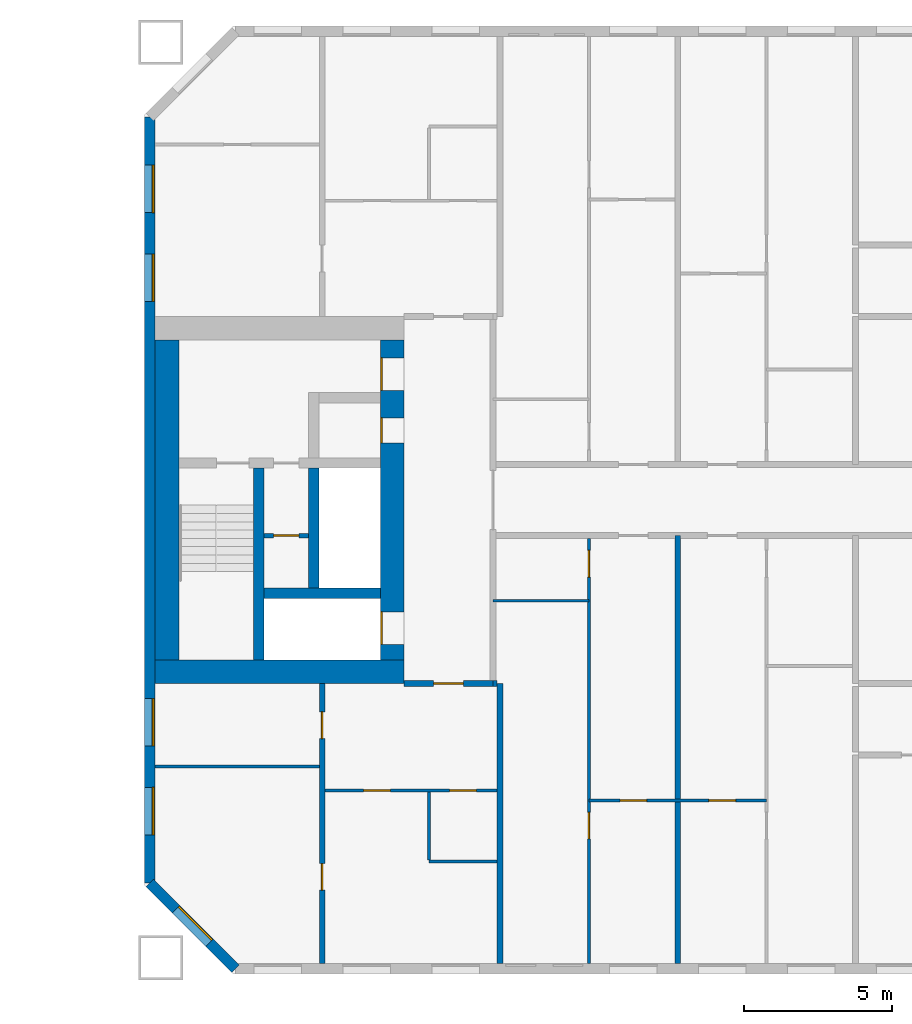
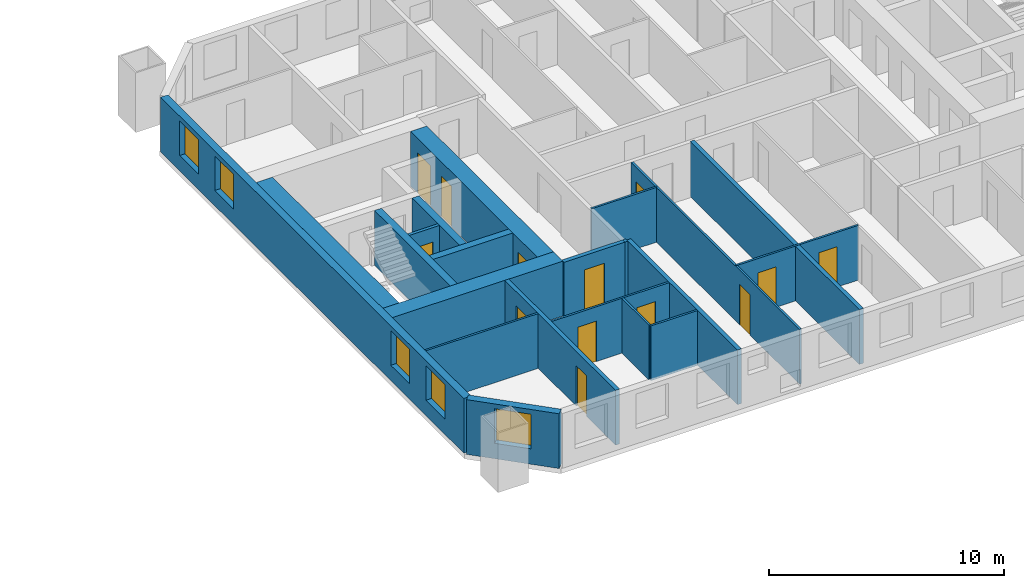
# One storey, part 9 of 17: 21 walls, 13 doors, 5 windows, 18 openings.
"""IFC4 building model written with IfcOpenShell, lengths in metres."""

from ifc_helpers import new_model, si_unit, direction, frame, frame_2d, origin, place, context, subcontext, project, spatial, rectangle, extrude, material, layer, layer_set, type_object, element, fill, save


model = new_model("IFC4")

# Units and contexts
model_context = context("Model", 3, precision=1e-05, world=origin(), true_north=direction((0.0, 1.0)))
body_context = subcontext(model_context, "Body", "Model", "MODEL_VIEW")
ifc_project = project(units=[si_unit("LENGTHUNIT", "METRE"), si_unit("AREAUNIT", "SQUARE_METRE"), si_unit("VOLUMEUNIT", "CUBIC_METRE"), si_unit("PLANEANGLEUNIT", "RADIAN"), si_unit("MASSUNIT", "GRAM", prefix="KILO")], contexts=[model_context])

# Site, building, storey
site_placement = place(None, origin())
site = spatial("IfcSite", under=ifc_project, at=site_placement, CompositionType="ELEMENT")
building_placement = place(site_placement, origin())
building = spatial("IfcBuilding", under=site, at=building_placement, Name="Tuart Gate Housing", CompositionType="ELEMENT")
storey_placement = place(building_placement, frame((0.0, 0.0, 53.60009765625)))
storey = spatial("IfcBuildingStorey", under=building, at=storey_placement, Name="L14", CompositionType="ELEMENT", Elevation=53.60009765625)

# Wall, opening, window
ifc_material_1 = material(Name="Brick", Category="masonry")
ifc_layer_1 = layer(ifc_material_1, 0.360107421875)
ifc_layer_set_1 = layer_set([ifc_layer_1], Name="Brick pier and spandrel wall 360")
wall_type_1 = type_object("IfcWallType", Name="Brick pier and spandrel wall 360", PredefinedType="STANDARD", material=ifc_layer_set_1)
wall_1_placement = place(storey_placement, frame((131.179931640625, 57.07470703125, 0.0), z_axis=(0.0, 0.0, 1.0), x_axis=(0.707106781187, -0.707106781187, 0.0)))
wall_1 = element("IfcWall", 1, at=wall_1_placement, inside=storey, type_object=wall_type_1, Name="External wall B-SW L14", PredefinedType="STANDARD", context=body_context, shape_type="SweptSolid", body=[
    extrude(rectangle(XDim=4.09375, YDim=0.360107421875, at=frame_2d((2.046875, 0.0))), origin(), (0.0, 0.0, 1.0), 2.849853515625),
])
opening_1_placement = place(wall_1_placement, frame((1.2470703125, 0.0, 0.800048828125)))
opening_1 = element("IfcOpeningElement", 2, at=opening_1_placement, cuts=wall_1, Name="Opening W1", PredefinedType="OPENING", context=body_context, shape_type="SweptSolid", body=[
    extrude(rectangle(XDim=1.60009765625, YDim=1.800048828125, at=frame_2d((0.800048828125, 0.89990234375))), frame((0.0, 0.18994140625, 0.0), z_axis=(0.0, -1.0, 0.0), x_axis=(1.0, 0.0, 0.0)), (0.0, 0.0, 1.0), 0.380126953125),
])
ifc_material_2 = material(Name="Aluminium frame with clear glass", Category="aluminium")
window_type = type_object("IfcWindowType", Name="Punched window 1600 x 1800", PartitioningType="SINGLE_PANEL", PredefinedType="WINDOW", material=ifc_material_2)
window_1_placement = place(opening_1_placement, origin())
window_1 = element("IfcWindow", 3, at=window_1_placement, inside=storey, type_object=window_type, Name="Window W1", OverallHeight=1.800048828125, OverallWidth=1.60009765625, PartitioningType="SINGLE_PANEL", PredefinedType="WINDOW", context=body_context, shape_type="SweptSolid", body=[
    extrude(rectangle(XDim=1.60009765625, YDim=1.800048828125, at=frame_2d((0.800048828125, 0.89990234375))), frame((0.0, 0.150146484375, 0.0), z_axis=(0.0, -1.0, 0.0), x_axis=(1.0, 0.0, 0.0)), (0.0, 0.0, 1.0), 0.06005859375),
])
fill(opening_1, window_1)

# Wall, openings, windows
wall_2_placement = place(storey_placement, frame((131.179931640625, 82.92529296875, 0.0), z_axis=(0.0, 0.0, 1.0), x_axis=(0.0, -1.0, 0.0)))
wall_2 = element("IfcWall", 4, at=wall_2_placement, inside=storey, type_object=wall_type_1, Name="External wall B-W L14", PredefinedType="STANDARD", context=body_context, shape_type="SweptSolid", body=[
    extrude(rectangle(XDim=25.850830078125, YDim=0.360107421875, at=frame_2d((12.92529296875, 0.0))), origin(), (0.0, 0.0, 1.0), 2.849853515625),
])
opening_2_placement = place(wall_2_placement, frame((1.62548828125, 0.0, 0.800048828125)))
opening_2 = element("IfcOpeningElement", 5, at=opening_2_placement, cuts=wall_2, Name="Opening W1", PredefinedType="OPENING", context=body_context, shape_type="SweptSolid", body=[
    extrude(rectangle(XDim=1.60009765625, YDim=1.800048828125, at=frame_2d((0.800048828125, 0.89990234375))), frame((0.0, 0.18994140625, 0.0), z_axis=(0.0, -1.0, 0.0), x_axis=(1.0, 0.0, 0.0)), (0.0, 0.0, 1.0), 0.380126953125),
])
opening_3_placement = place(wall_2_placement, frame((4.62548828125, 0.0, 0.800048828125)))
opening_3 = element("IfcOpeningElement", 6, at=opening_3_placement, cuts=wall_2, Name="Opening W1", PredefinedType="OPENING", context=body_context, shape_type="SweptSolid", body=[
    extrude(rectangle(XDim=1.60009765625, YDim=1.800048828125, at=frame_2d((0.800048828125, 0.89990234375))), frame((0.0, 0.18994140625, 0.0), z_axis=(0.0, -1.0, 0.0), x_axis=(1.0, 0.0, 0.0)), (0.0, 0.0, 1.0), 0.380126953125),
])
opening_4_placement = place(wall_2_placement, frame((19.62548828125, 0.0, 0.800048828125)))
opening_4 = element("IfcOpeningElement", 7, at=opening_4_placement, cuts=wall_2, Name="Opening W1", PredefinedType="OPENING", context=body_context, shape_type="SweptSolid", body=[
    extrude(rectangle(XDim=1.60009765625, YDim=1.800048828125, at=frame_2d((0.800048828125, 0.89990234375))), frame((0.0, 0.18994140625, 0.0), z_axis=(0.0, -1.0, 0.0), x_axis=(1.0, 0.0, 0.0)), (0.0, 0.0, 1.0), 0.380126953125),
])
opening_5_placement = place(wall_2_placement, frame((22.62548828125, 0.0, 0.800048828125)))
opening_5 = element("IfcOpeningElement", 8, at=opening_5_placement, cuts=wall_2, Name="Opening W1", PredefinedType="OPENING", context=body_context, shape_type="SweptSolid", body=[
    extrude(rectangle(XDim=1.60009765625, YDim=1.800048828125, at=frame_2d((0.800048828125, 0.89990234375))), frame((0.0, 0.18994140625, 0.0), z_axis=(0.0, -1.0, 0.0), x_axis=(1.0, 0.0, 0.0)), (0.0, 0.0, 1.0), 0.380126953125),
])
window_2_placement = place(opening_2_placement, origin())
window_2 = element("IfcWindow", 9, at=window_2_placement, inside=storey, type_object=window_type, Name="Window W1", OverallHeight=1.800048828125, OverallWidth=1.60009765625, PartitioningType="SINGLE_PANEL", PredefinedType="WINDOW", context=body_context, shape_type="SweptSolid", body=[
    extrude(rectangle(XDim=1.60009765625, YDim=1.800048828125, at=frame_2d((0.800048828125, 0.89990234375))), frame((0.0, 0.150146484375, 0.0), z_axis=(0.0, -1.0, 0.0), x_axis=(1.0, 0.0, 0.0)), (0.0, 0.0, 1.0), 0.06005859375),
])
fill(opening_2, window_2)
window_3_placement = place(opening_3_placement, origin())
window_3 = element("IfcWindow", 10, at=window_3_placement, inside=storey, type_object=window_type, Name="Window W1", OverallHeight=1.800048828125, OverallWidth=1.60009765625, PartitioningType="SINGLE_PANEL", PredefinedType="WINDOW", context=body_context, shape_type="SweptSolid", body=[
    extrude(rectangle(XDim=1.60009765625, YDim=1.800048828125, at=frame_2d((0.800048828125, 0.89990234375))), frame((0.0, 0.150146484375, 0.0), z_axis=(0.0, -1.0, 0.0), x_axis=(1.0, 0.0, 0.0)), (0.0, 0.0, 1.0), 0.06005859375),
])
fill(opening_3, window_3)
window_4_placement = place(opening_4_placement, origin())
window_4 = element("IfcWindow", 11, at=window_4_placement, inside=storey, type_object=window_type, Name="Window W1", OverallHeight=1.800048828125, OverallWidth=1.60009765625, PartitioningType="SINGLE_PANEL", PredefinedType="WINDOW", context=body_context, shape_type="SweptSolid", body=[
    extrude(rectangle(XDim=1.60009765625, YDim=1.800048828125, at=frame_2d((0.800048828125, 0.89990234375))), frame((0.0, 0.150146484375, 0.0), z_axis=(0.0, -1.0, 0.0), x_axis=(1.0, 0.0, 0.0)), (0.0, 0.0, 1.0), 0.06005859375),
])
fill(opening_4, window_4)
window_5_placement = place(opening_5_placement, origin())
window_5 = element("IfcWindow", 12, at=window_5_placement, inside=storey, type_object=window_type, Name="Window W1", OverallHeight=1.800048828125, OverallWidth=1.60009765625, PartitioningType="SINGLE_PANEL", PredefinedType="WINDOW", context=body_context, shape_type="SweptSolid", body=[
    extrude(rectangle(XDim=1.60009765625, YDim=1.800048828125, at=frame_2d((0.800048828125, 0.89990234375))), frame((0.0, 0.150146484375, 0.0), z_axis=(0.0, -1.0, 0.0), x_axis=(1.0, 0.0, 0.0)), (0.0, 0.0, 1.0), 0.06005859375),
])
fill(opening_5, window_5)

# Wall, opening, door
ifc_material_3 = material(Name="Plasterboard partition")
ifc_layer_2 = layer(ifc_material_3, 0.14990234375)
ifc_layer_set_2 = layer_set([ifc_layer_2], Name="Core partition 150")
wall_type_2 = type_object("IfcWallType", Name="Core partition 150", PredefinedType="PARTITIONING", material=ifc_layer_set_2)
wall_3_placement = place(storey_placement, frame((136.534912109375, 68.800048828125, 0.0), z_axis=(0.0, 0.0, 1.0), x_axis=(-1.0, 0.0, 0.0)))
wall_3 = element("IfcWall", 13, at=wall_3_placement, inside=storey, type_object=wall_type_2, Name="Core partition BG.2", PredefinedType="PARTITIONING", context=body_context, shape_type="SweptSolid", body=[
    extrude(rectangle(XDim=1.5, YDim=0.14990234375, at=frame_2d((0.75, 0.0))), origin(), (0.0, 0.0, 1.0), 2.849853515625),
])
opening_6_placement = place(wall_3_placement, frame((0.324951171875, 0.0, 0.0)))
opening_6 = element("IfcOpeningElement", 14, at=opening_6_placement, cuts=wall_3, Name="Opening D809", PredefinedType="OPENING", context=body_context, shape_type="SweptSolid", body=[
    extrude(rectangle(XDim=0.85009765625, YDim=2.10009765625, at=frame_2d((0.425048828125, 1.050048828125))), frame((0.0, 0.0849609375, 0.0), z_axis=(0.0, -1.0, 0.0), x_axis=(1.0, 0.0, 0.0)), (0.0, 0.0, 1.0), 0.169921875),
])
ifc_material_4 = material(Name="Steel fire door", Category="steel")
door_type_1 = type_object("IfcDoorType", Name="Service door 850 x 2100 RH", OperationType="SINGLE_SWING_RIGHT", PredefinedType="DOOR", material=ifc_material_4)
door_1_placement = place(opening_6_placement, frame((0.85009765625, 0.0, 0.0), z_axis=(0.0, 0.0, 1.0), x_axis=(-1.0, 0.0, 0.0)))
door_1 = element("IfcDoor", 15, at=door_1_placement, inside=storey, type_object=door_type_1, Name="Service room door BG.W2", OperationType="SINGLE_SWING_RIGHT", OverallHeight=2.10009765625, OverallWidth=0.85009765625, PredefinedType="DOOR", context=body_context, shape_type="SweptSolid", body=[
    extrude(rectangle(XDim=0.85009765625, YDim=2.10009765625, at=frame_2d((0.425048828125, 1.050048828125))), frame((0.0, 0.025146484375, 0.0), z_axis=(0.0, -1.0, 0.0), x_axis=(1.0, 0.0, 0.0)), (0.0, 0.0, 1.0), 0.050048828125),
])
fill(opening_6, door_1)

# Walls
ifc_material_5 = material(Name="Concrete C60", Category="concrete")
ifc_layer_3 = layer(ifc_material_5, 0.35009765625)
ifc_layer_set_3 = layer_set([ifc_layer_3], Name="Core wall 350 C60")
wall_type_3 = type_object("IfcWallType", Name="Core wall 350 C60", PredefinedType="SHEAR", material=ifc_layer_set_3)
wall_4_placement = place(storey_placement, frame((138.9599609375, 66.85009765625, 0.0), z_axis=(0.0, 0.0, 1.0), x_axis=(-1.0, 0.0, 0.0)))
element("IfcWall", 16, at=wall_4_placement, inside=storey, type_object=wall_type_3, Name="Core wall BG.1", PredefinedType="SHEAR", context=body_context, shape_type="SweptSolid", body=[
    extrude(rectangle(XDim=3.925048828125, YDim=0.35009765625, at=frame_2d((1.96240234375, 0.0))), origin(), (0.0, 0.0, 1.0), 2.849853515625),
])
wall_5_placement = place(storey_placement, frame((136.7099609375, 67.02490234375, 0.0), z_axis=(0.0, 0.0, 1.0), x_axis=(0.0, 1.0, 0.0)))
element("IfcWall", 17, at=wall_5_placement, inside=storey, type_object=wall_type_3, Name="Core wall BG.5", PredefinedType="SHEAR", context=body_context, shape_type="SweptSolid", body=[
    extrude(rectangle(XDim=4.050048828125, YDim=0.35009765625, at=frame_2d((2.02490234375, 0.0))), origin(), (0.0, 0.0, 1.0), 2.849853515625),
])
wall_6_placement = place(storey_placement, frame((134.860107421875, 64.60009765625, 0.0), z_axis=(0.0, 0.0, 1.0), x_axis=(0.0, 1.0, 0.0)))
element("IfcWall", 18, at=wall_6_placement, inside=storey, type_object=wall_type_3, Name="Core wall BG.7", PredefinedType="SHEAR", context=body_context, shape_type="SweptSolid", body=[
    extrude(rectangle(XDim=6.474853515625, YDim=0.35009765625, at=frame_2d((3.2373046875, 0.0))), origin(), (0.0, 0.0, 1.0), 2.849853515625),
])

# Wall, openings, doors
ifc_material_6 = material(Name="Concrete C60", Category="concrete")
ifc_layer_4 = layer(ifc_material_6, 0.800048828125)
ifc_layer_set_4 = layer_set([ifc_layer_4], Name="Core wall 800 C60")
wall_type_4 = type_object("IfcWallType", Name="Core wall 800 C60", PredefinedType="SHEAR", material=ifc_layer_set_4)
wall_7_placement = place(storey_placement, frame((139.360107421875, 64.60009765625, 0.0), z_axis=(0.0, 0.0, 1.0), x_axis=(0.0, 1.0, 0.0)))
wall_7 = element("IfcWall", 19, at=wall_7_placement, inside=storey, type_object=wall_type_4, Name="Core wall BG front", PredefinedType="SHEAR", context=body_context, shape_type="SweptSolid", body=[
    extrude(rectangle(XDim=10.7998046875, YDim=0.800048828125, at=frame_2d((5.39990234375, 0.0))), origin(), (0.0, 0.0, 1.0), 2.849853515625),
])
opening_7_placement = place(wall_7_placement, frame((0.52490234375, 0.0, 0.0)))
opening_7 = element("IfcOpeningElement", 20, at=opening_7_placement, cuts=wall_7, Name="Opening LD-FB1", PredefinedType="OPENING", context=body_context, shape_type="SweptSolid", body=[
    extrude(rectangle(XDim=1.10009765625, YDim=2.10009765625, at=frame_2d((0.550048828125, 1.050048828125))), frame((0.0, 0.409912109375, 0.0), z_axis=(0.0, -1.0, 0.0), x_axis=(1.0, 0.0, 0.0)), (0.0, 0.0, 1.0), 0.820068359375),
])
opening_8_placement = place(wall_7_placement, frame((9.10009765625, 0.0, 0.0)))
opening_8 = element("IfcOpeningElement", 21, at=opening_8_placement, cuts=wall_7, Name="Opening D801", PredefinedType="OPENING", context=body_context, shape_type="SweptSolid", body=[
    extrude(rectangle(XDim=1.10009765625, YDim=2.10009765625, at=frame_2d((0.550048828125, 1.050048828125))), frame((0.0, 0.409912109375, 0.0), z_axis=(0.0, -1.0, 0.0), x_axis=(1.0, 0.0, 0.0)), (0.0, 0.0, 1.0), 0.820068359375),
])
opening_9_placement = place(wall_7_placement, frame((7.324951171875, 0.0, 0.0)))
opening_9 = element("IfcOpeningElement", 22, at=opening_9_placement, cuts=wall_7, Name="Opening D802", PredefinedType="OPENING", context=body_context, shape_type="SweptSolid", body=[
    extrude(rectangle(XDim=0.85009765625, YDim=2.10009765625, at=frame_2d((0.425048828125, 1.050048828125))), frame((0.0, 0.409912109375, 0.0), z_axis=(0.0, -1.0, 0.0), x_axis=(1.0, 0.0, 0.0)), (0.0, 0.0, 1.0), 0.820068359375),
])
ifc_material_7 = material(Name="Stainless steel", Category="steel")
door_type_2 = type_object("IfcDoorType", Name="Landing door 1100 x 2100", OperationType="DOUBLE_DOOR_SLIDING", PredefinedType="DOOR", material=ifc_material_7)
door_2_placement = place(opening_7_placement, origin())
door_2 = element("IfcDoor", 23, at=door_2_placement, inside=storey, type_object=door_type_2, Name="Lift landing door FB1", OperationType="DOUBLE_DOOR_SLIDING", OverallHeight=2.10009765625, OverallWidth=1.10009765625, PredefinedType="DOOR", context=body_context, shape_type="SweptSolid", body=[
    extrude(rectangle(XDim=1.10009765625, YDim=2.10009765625, at=frame_2d((0.550048828125, 1.050048828125))), frame((0.0, 0.38525390625, 0.0), z_axis=(0.0, -1.0, 0.0), x_axis=(1.0, 0.0, 0.0)), (0.0, 0.0, 1.0), 0.050048828125),
])
fill(opening_7, door_2)
ifc_material_8 = material(Name="Steel fire door", Category="steel")
door_type_3 = type_object("IfcDoorType", Name="Lobby door 1100 x 2100", OperationType="SINGLE_SWING_LEFT", PredefinedType="DOOR", material=ifc_material_8)
door_3_placement = place(opening_8_placement, origin())
door_3 = element("IfcDoor", 24, at=door_3_placement, inside=storey, type_object=door_type_3, Name="Lobby entry door BG.EN", OperationType="SINGLE_SWING_LEFT", OverallHeight=2.10009765625, OverallWidth=1.10009765625, PredefinedType="DOOR", context=body_context, shape_type="SweptSolid", body=[
    extrude(rectangle(XDim=1.10009765625, YDim=2.10009765625, at=frame_2d((0.550048828125, 1.050048828125))), frame((0.0, 0.38525390625, 0.0), z_axis=(0.0, -1.0, 0.0), x_axis=(1.0, 0.0, 0.0)), (0.0, 0.0, 1.0), 0.050048828125),
])
fill(opening_8, door_3)
ifc_material_9 = material(Name="Steel fire door", Category="steel")
door_type_4 = type_object("IfcDoorType", Name="Service door 850 x 2100", OperationType="SINGLE_SWING_LEFT", PredefinedType="DOOR", material=ifc_material_9)
door_4_placement = place(opening_9_placement, origin())
door_4 = element("IfcDoor", 25, at=door_4_placement, inside=storey, type_object=door_type_4, Name="Service room door BG.T1", OperationType="SINGLE_SWING_LEFT", OverallHeight=2.10009765625, OverallWidth=0.85009765625, PredefinedType="DOOR", context=body_context, shape_type="SweptSolid", body=[
    extrude(rectangle(XDim=0.85009765625, YDim=2.10009765625, at=frame_2d((0.425048828125, 1.050048828125))), frame((0.0, 0.38525390625, 0.0), z_axis=(0.0, -1.0, 0.0), x_axis=(1.0, 0.0, 0.0)), (0.0, 0.0, 1.0), 0.050048828125),
])
fill(opening_9, door_4)

# Walls
wall_8_placement = place(storey_placement, frame((131.760009765625, 64.60009765625, 0.0), z_axis=(0.0, 0.0, 1.0), x_axis=(0.0, 1.0, 0.0)))
element("IfcWall", 26, at=wall_8_placement, inside=storey, type_object=wall_type_4, Name="Core wall BG back", PredefinedType="SHEAR", context=body_context, shape_type="SweptSolid", body=[
    extrude(rectangle(XDim=10.7998046875, YDim=0.800048828125, at=frame_2d((5.39990234375, 0.0))), origin(), (0.0, 0.0, 1.0), 2.849853515625),
])
wall_9_placement = place(storey_placement, frame((139.760009765625, 64.199951171875, 0.0), z_axis=(0.0, 0.0, 1.0), x_axis=(-1.0, 0.0, 0.0)))
element("IfcWall", 27, at=wall_9_placement, inside=storey, type_object=wall_type_4, Name="Core wall BG south", PredefinedType="SHEAR", context=body_context, shape_type="SweptSolid", body=[
    extrude(rectangle(XDim=8.39990234375, YDim=0.800048828125, at=frame_2d((4.199951171875, 0.0))), origin(), (0.0, 0.0, 1.0), 2.849853515625),
])

# Wall, opening, door
ifc_material_10 = material(Name="Concrete masonry 15 MPa", Category="masonry")
ifc_layer_5 = layer(ifc_material_10, 0.199951171875)
ifc_layer_set_5 = layer_set([ifc_layer_5], Name="Enclosure wall masonry 200")
wall_type_5 = type_object("IfcWallType", Name="Enclosure wall masonry 200", PredefinedType="PARTITIONING", material=ifc_layer_set_5)
wall_10_placement = place(storey_placement, frame((139.760009765625, 63.800048828125, 0.0), z_axis=(0.0, 0.0, 1.0), x_axis=(1.0, 0.0, 0.0)))
wall_10 = element("IfcWall", 28, at=wall_10_placement, inside=storey, type_object=wall_type_5, Name="Enclosure wall masonry 200", PredefinedType="PARTITIONING", context=body_context, shape_type="SweptSolid", body=[
    extrude(rectangle(XDim=3.0, YDim=0.199951171875, at=frame_2d((1.5, 0.0))), origin(), (0.0, 0.0, 1.0), 2.849853515625),
])
opening_10_placement = place(wall_10_placement, frame((1.0, 0.0, 0.0)))
opening_10 = element("IfcOpeningElement", 29, at=opening_10_placement, cuts=wall_10, Name="Opening D814", PredefinedType="OPENING", context=body_context, shape_type="SweptSolid", body=[
    extrude(rectangle(XDim=1.0, YDim=2.10009765625, at=frame_2d((0.5, 1.050048828125))), frame((0.0, 0.10986328125, 0.0), z_axis=(0.0, -1.0, 0.0), x_axis=(1.0, 0.0, 0.0)), (0.0, 0.0, 1.0), 0.219970703125),
])
ifc_material_11 = material(Name="Timber door leaf in steel frame", Category="steel")
door_type_5 = type_object("IfcDoorType", Name="Flat entrance door 1000", OperationType="SINGLE_SWING_LEFT", PredefinedType="DOOR", material=ifc_material_11)
door_5_placement = place(opening_10_placement, frame((1.0, 0.0, 0.0), z_axis=(0.0, 0.0, 1.0), x_axis=(-1.0, 0.0, 0.0)))
door_5 = element("IfcDoor", 30, at=door_5_placement, inside=storey, type_object=door_type_5, Name="Flat entrance door", OperationType="SINGLE_SWING_LEFT", OverallHeight=2.10009765625, OverallWidth=1.0, PredefinedType="DOOR", context=body_context, shape_type="SweptSolid", body=[
    extrude(rectangle(XDim=1.0, YDim=2.10009765625, at=frame_2d((0.5, 1.050048828125))), frame((0.0, 0.025146484375, 0.0), z_axis=(0.0, -1.0, 0.0), x_axis=(1.0, 0.0, 0.0)), (0.0, 0.0, 1.0), 0.050048828125),
])
fill(opening_10, door_5)

# Wall
ifc_material_12 = material(Name="Gypsum board on steel studs", Category="steel")
ifc_layer_6 = layer(ifc_material_12, 0.10009765625)
ifc_layer_set_6 = layer_set([ifc_layer_6], Name="Partition 100")
wall_type_6 = type_object("IfcWallType", Name="Partition 100", PredefinedType="PARTITIONING", material=ifc_layer_set_6)
wall_11_placement = place(storey_placement, frame((140.60009765625, 57.800048828125, 0.0), z_axis=(0.0, 0.0, 1.0), x_axis=(1.0, 0.0, 0.0)))
element("IfcWall", 31, at=wall_11_placement, inside=storey, type_object=wall_type_6, Name="Partition 100", PredefinedType="PARTITIONING", context=body_context, shape_type="SweptSolid", body=[
    extrude(rectangle(XDim=2.2998046875, YDim=0.10009765625, at=frame_2d((1.14990234375, 0.0))), origin(), (0.0, 0.0, 1.0), 2.849853515625),
])

# Wall, openings, doors
wall_12_placement = place(storey_placement, frame((146.0, 59.860107421875, 0.0), z_axis=(0.0, 0.0, 1.0), x_axis=(1.0, 0.0, 0.0)))
wall_12 = element("IfcWall", 32, at=wall_12_placement, inside=storey, type_object=wall_type_6, Name="Partition 100", PredefinedType="PARTITIONING", context=body_context, shape_type="SweptSolid", body=[
    extrude(rectangle(XDim=6.0, YDim=0.10009765625, at=frame_2d((3.0, 0.0))), origin(), (0.0, 0.0, 1.0), 2.849853515625),
])
opening_11_placement = place(wall_12_placement, frame((1.050048828125, 0.0, 0.0)))
opening_11 = element("IfcOpeningElement", 33, at=opening_11_placement, cuts=wall_12, Name="Opening D825", PredefinedType="OPENING", context=body_context, shape_type="SweptSolid", body=[
    extrude(rectangle(XDim=0.89990234375, YDim=2.10009765625, at=frame_2d((0.449951171875, 1.050048828125))), frame((0.0, 0.06005859375, 0.0), z_axis=(0.0, -1.0, 0.0), x_axis=(1.0, 0.0, 0.0)), (0.0, 0.0, 1.0), 0.1201171875),
])
opening_12_placement = place(wall_12_placement, frame((4.050048828125, 0.0, 0.0)))
opening_12 = element("IfcOpeningElement", 34, at=opening_12_placement, cuts=wall_12, Name="Opening D826", PredefinedType="OPENING", context=body_context, shape_type="SweptSolid", body=[
    extrude(rectangle(XDim=0.89990234375, YDim=2.10009765625, at=frame_2d((0.449951171875, 1.050048828125))), frame((0.0, 0.06005859375, 0.0), z_axis=(0.0, -1.0, 0.0), x_axis=(1.0, 0.0, 0.0)), (0.0, 0.0, 1.0), 0.1201171875),
])
ifc_material_13 = material(Name="Timber door leaf in steel frame", Category="steel")
door_type_6 = type_object("IfcDoorType", Name="Internal door 900", OperationType="SINGLE_SWING_LEFT", PredefinedType="DOOR", material=ifc_material_13)
door_6_placement = place(opening_11_placement, origin())
door_6 = element("IfcDoor", 35, at=door_6_placement, inside=storey, type_object=door_type_6, Name="Internal door", OperationType="SINGLE_SWING_LEFT", OverallHeight=2.10009765625, OverallWidth=0.89990234375, PredefinedType="DOOR", context=body_context, shape_type="SweptSolid", body=[
    extrude(rectangle(XDim=0.89990234375, YDim=2.10009765625, at=frame_2d((0.449951171875, 1.050048828125))), frame((0.0, 0.02490234375, 0.0), z_axis=(0.0, -1.0, 0.0), x_axis=(1.0, 0.0, 0.0)), (0.0, 0.0, 1.0), 0.050048828125),
])
fill(opening_11, door_6)
door_7_placement = place(opening_12_placement, origin())
door_7 = element("IfcDoor", 36, at=door_7_placement, inside=storey, type_object=door_type_6, Name="Internal door", OperationType="SINGLE_SWING_LEFT", OverallHeight=2.10009765625, OverallWidth=0.89990234375, PredefinedType="DOOR", context=body_context, shape_type="SweptSolid", body=[
    extrude(rectangle(XDim=0.89990234375, YDim=2.10009765625, at=frame_2d((0.449951171875, 1.050048828125))), frame((0.0, 0.02490234375, 0.0), z_axis=(0.0, -1.0, 0.0), x_axis=(1.0, 0.0, 0.0)), (0.0, 0.0, 1.0), 0.050048828125),
])
fill(opening_12, door_7)

wall_13_placement = place(storey_placement, frame((137.10009765625, 60.199951171875, 0.0), z_axis=(0.0, 0.0, 1.0), x_axis=(1.0, 0.0, 0.0)))
wall_13 = element("IfcWall", 37, at=wall_13_placement, inside=storey, type_object=wall_type_6, Name="Partition 100", PredefinedType="PARTITIONING", context=body_context, shape_type="SweptSolid", body=[
    extrude(rectangle(XDim=5.7998046875, YDim=0.10009765625, at=frame_2d((2.89990234375, 0.0))), origin(), (0.0, 0.0, 1.0), 2.849853515625),
])
opening_13_placement = place(wall_13_placement, frame((1.300048828125, 0.0, 0.0)))
opening_13 = element("IfcOpeningElement", 38, at=opening_13_placement, cuts=wall_13, Name="Opening D824", PredefinedType="OPENING", context=body_context, shape_type="SweptSolid", body=[
    extrude(rectangle(XDim=0.89990234375, YDim=2.10009765625, at=frame_2d((0.449951171875, 1.050048828125))), frame((0.0, 0.06005859375, 0.0), z_axis=(0.0, -1.0, 0.0), x_axis=(1.0, 0.0, 0.0)), (0.0, 0.0, 1.0), 0.1201171875),
])
opening_14_placement = place(wall_13_placement, frame((4.199951171875, 0.0, 0.0)))
opening_14 = element("IfcOpeningElement", 39, at=opening_14_placement, cuts=wall_13, Name="Opening D823", PredefinedType="OPENING", context=body_context, shape_type="SweptSolid", body=[
    extrude(rectangle(XDim=0.89990234375, YDim=2.10009765625, at=frame_2d((0.449951171875, 1.050048828125))), frame((0.0, 0.06005859375, 0.0), z_axis=(0.0, -1.0, 0.0), x_axis=(1.0, 0.0, 0.0)), (0.0, 0.0, 1.0), 0.1201171875),
])
ifc_material_14 = material(Name="Timber door leaf in steel frame", Category="steel")
door_type_7 = type_object("IfcDoorType", Name="Bathroom door 900 RH", OperationType="SINGLE_SWING_RIGHT", PredefinedType="DOOR", material=ifc_material_14)
door_8_placement = place(opening_14_placement, frame((0.89990234375, 0.0, 0.0), z_axis=(0.0, 0.0, 1.0), x_axis=(-1.0, 0.0, 0.0)))
door_8 = element("IfcDoor", 40, at=door_8_placement, inside=storey, type_object=door_type_7, Name="Bathroom door", OperationType="SINGLE_SWING_RIGHT", OverallHeight=2.10009765625, OverallWidth=0.89990234375, PredefinedType="DOOR", context=body_context, shape_type="SweptSolid", body=[
    extrude(rectangle(XDim=0.89990234375, YDim=2.10009765625, at=frame_2d((0.449951171875, 1.050048828125))), frame((0.0, 0.025146484375, 0.0), z_axis=(0.0, -1.0, 0.0), x_axis=(1.0, 0.0, 0.0)), (0.0, 0.0, 1.0), 0.050048828125),
])
fill(opening_14, door_8)
door_9_placement = place(opening_13_placement, origin())
door_9 = element("IfcDoor", 41, at=door_9_placement, inside=storey, type_object=door_type_6, Name="Internal door", OperationType="SINGLE_SWING_LEFT", OverallHeight=2.10009765625, OverallWidth=0.89990234375, PredefinedType="DOOR", context=body_context, shape_type="SweptSolid", body=[
    extrude(rectangle(XDim=0.89990234375, YDim=2.10009765625, at=frame_2d((0.449951171875, 1.050048828125))), frame((0.0, 0.02490234375, 0.0), z_axis=(0.0, -1.0, 0.0), x_axis=(1.0, 0.0, 0.0)), (0.0, 0.0, 1.0), 0.050048828125),
])
fill(opening_13, door_9)

# Walls
wall_14_placement = place(storey_placement, frame((131.360107421875, 61.0, 0.0), z_axis=(0.0, 0.0, 1.0), x_axis=(1.0, 0.0, 0.0)))
element("IfcWall", 42, at=wall_14_placement, inside=storey, type_object=wall_type_6, Name="Partition 100", PredefinedType="PARTITIONING", context=body_context, shape_type="SweptSolid", body=[
    extrude(rectangle(XDim=5.539794921875, YDim=0.10009765625, at=frame_2d((2.77001953125, 0.0))), origin(), (0.0, 0.0, 1.0), 2.849853515625),
])
wall_15_placement = place(storey_placement, frame((142.760009765625, 66.60009765625, 0.0), z_axis=(0.0, 0.0, 1.0), x_axis=(1.0, 0.0, 0.0)))
element("IfcWall", 43, at=wall_15_placement, inside=storey, type_object=wall_type_6, Name="Partition 100", PredefinedType="PARTITIONING", context=body_context, shape_type="SweptSolid", body=[
    extrude(rectangle(XDim=3.239990234375, YDim=0.10009765625, at=frame_2d((1.6201171875, 0.0))), origin(), (0.0, 0.0, 1.0), 2.849853515625),
])
wall_16_placement = place(storey_placement, frame((140.60009765625, 57.85009765625, 0.0), z_axis=(0.0, 0.0, 1.0), x_axis=(0.0, 1.0, 0.0)))
element("IfcWall", 44, at=wall_16_placement, inside=storey, type_object=wall_type_6, Name="Partition 100", PredefinedType="PARTITIONING", context=body_context, shape_type="SweptSolid", body=[
    extrude(rectangle(XDim=2.2998046875, YDim=0.10009765625, at=frame_2d((1.14990234375, 0.0))), origin(), (0.0, 0.0, 1.0), 2.849853515625),
])

# Wall, openings, doors
wall_17_placement = place(storey_placement, frame((146.0, 54.360107421875, 0.0), z_axis=(0.0, 0.0, 1.0), x_axis=(0.0, 1.0, 0.0)))
wall_17 = element("IfcWall", 45, at=wall_17_placement, inside=storey, type_object=wall_type_6, Name="Partition 100", PredefinedType="PARTITIONING", context=body_context, shape_type="SweptSolid", body=[
    extrude(rectangle(XDim=14.33984375, YDim=0.10009765625, at=frame_2d((7.169921875, 0.0))), origin(), (0.0, 0.0, 1.0), 2.849853515625),
])
opening_15_placement = place(wall_17_placement, frame((4.199951171875, 0.0, 0.0)))
opening_15 = element("IfcOpeningElement", 46, at=opening_15_placement, cuts=wall_17, Name="Opening D817", PredefinedType="OPENING", context=body_context, shape_type="SweptSolid", body=[
    extrude(rectangle(XDim=0.89990234375, YDim=2.10009765625, at=frame_2d((0.449951171875, 1.050048828125))), frame((0.0, 0.06005859375, 0.0), z_axis=(0.0, -1.0, 0.0), x_axis=(1.0, 0.0, 0.0)), (0.0, 0.0, 1.0), 0.1201171875),
])
opening_16_placement = place(wall_17_placement, frame((13.0400390625, 0.0, 0.0)))
opening_16 = element("IfcOpeningElement", 47, at=opening_16_placement, cuts=wall_17, Name="Opening D816", PredefinedType="OPENING", context=body_context, shape_type="SweptSolid", body=[
    extrude(rectangle(XDim=0.89990234375, YDim=2.10009765625, at=frame_2d((0.449951171875, 1.050048828125))), frame((0.0, 0.06005859375, 0.0), z_axis=(0.0, -1.0, 0.0), x_axis=(1.0, 0.0, 0.0)), (0.0, 0.0, 1.0), 0.1201171875),
])
door_10_placement = place(opening_16_placement, origin())
door_10 = element("IfcDoor", 48, at=door_10_placement, inside=storey, type_object=door_type_7, Name="Bathroom door", OperationType="SINGLE_SWING_RIGHT", OverallHeight=2.10009765625, OverallWidth=0.89990234375, PredefinedType="DOOR", context=body_context, shape_type="SweptSolid", body=[
    extrude(rectangle(XDim=0.89990234375, YDim=2.10009765625, at=frame_2d((0.449951171875, 1.050048828125))), frame((0.0, 0.02490234375, 0.0), z_axis=(0.0, -1.0, 0.0), x_axis=(1.0, 0.0, 0.0)), (0.0, 0.0, 1.0), 0.050048828125),
])
fill(opening_16, door_10)
door_11_placement = place(opening_15_placement, origin())
door_11 = element("IfcDoor", 49, at=door_11_placement, inside=storey, type_object=door_type_6, Name="Internal door", OperationType="SINGLE_SWING_LEFT", OverallHeight=2.10009765625, OverallWidth=0.89990234375, PredefinedType="DOOR", context=body_context, shape_type="SweptSolid", body=[
    extrude(rectangle(XDim=0.89990234375, YDim=2.10009765625, at=frame_2d((0.449951171875, 1.050048828125))), frame((0.0, 0.02490234375, 0.0), z_axis=(0.0, -1.0, 0.0), x_axis=(1.0, 0.0, 0.0)), (0.0, 0.0, 1.0), 0.050048828125),
])
fill(opening_15, door_11)

ifc_material_15 = material(Name="Concrete C40", Category="concrete")
ifc_layer_7 = layer(ifc_material_15, 0.199951171875)
ifc_layer_set_7 = layer_set([ifc_layer_7], Name="Party wall concrete C40 200")
wall_type_7 = type_object("IfcWallType", Name="Party wall concrete C40 200", PredefinedType="SOLIDWALL", material=ifc_layer_set_7)
wall_18_placement = place(storey_placement, frame((137.0, 54.360107421875, 0.0), z_axis=(0.0, 0.0, 1.0), x_axis=(0.0, 1.0, 0.0)))
wall_18 = element("IfcWall", 50, at=wall_18_placement, inside=storey, type_object=wall_type_7, Name="Party wall concrete C40 200", PredefinedType="SOLIDWALL", context=body_context, shape_type="SweptSolid", body=[
    extrude(rectangle(XDim=9.43994140625, YDim=0.199951171875, at=frame_2d((4.719970703125, 0.0))), origin(), (0.0, 0.0, 1.0), 2.849853515625),
])
opening_17_placement = place(wall_18_placement, frame((2.469970703125, 0.0, 0.0)))
opening_17 = element("IfcOpeningElement", 51, at=opening_17_placement, cuts=wall_18, Name="Opening D829", PredefinedType="OPENING", context=body_context, shape_type="SweptSolid", body=[
    extrude(rectangle(XDim=0.89990234375, YDim=2.10009765625, at=frame_2d((0.449951171875, 1.050048828125))), frame((0.0, 0.10986328125, 0.0), z_axis=(0.0, -1.0, 0.0), x_axis=(1.0, 0.0, 0.0)), (0.0, 0.0, 1.0), 0.219970703125),
])
opening_18_placement = place(wall_18_placement, frame((7.590087890625, 0.0, 0.0)))
opening_18 = element("IfcOpeningElement", 52, at=opening_18_placement, cuts=wall_18, Name="Opening D830", PredefinedType="OPENING", context=body_context, shape_type="SweptSolid", body=[
    extrude(rectangle(XDim=0.89990234375, YDim=2.10009765625, at=frame_2d((0.449951171875, 1.050048828125))), frame((0.0, 0.10986328125, 0.0), z_axis=(0.0, -1.0, 0.0), x_axis=(1.0, 0.0, 0.0)), (0.0, 0.0, 1.0), 0.219970703125),
])
door_12_placement = place(opening_17_placement, origin())
door_12 = element("IfcDoor", 53, at=door_12_placement, inside=storey, type_object=door_type_6, Name="Internal door", OperationType="SINGLE_SWING_LEFT", OverallHeight=2.10009765625, OverallWidth=0.89990234375, PredefinedType="DOOR", context=body_context, shape_type="SweptSolid", body=[
    extrude(rectangle(XDim=0.89990234375, YDim=2.10009765625, at=frame_2d((0.449951171875, 1.050048828125))), frame((0.0, 0.02490234375, 0.0), z_axis=(0.0, -1.0, 0.0), x_axis=(1.0, 0.0, 0.0)), (0.0, 0.0, 1.0), 0.050048828125),
])
fill(opening_17, door_12)
door_13_placement = place(opening_18_placement, origin())
door_13 = element("IfcDoor", 54, at=door_13_placement, inside=storey, type_object=door_type_6, Name="Internal door", OperationType="SINGLE_SWING_LEFT", OverallHeight=2.10009765625, OverallWidth=0.89990234375, PredefinedType="DOOR", context=body_context, shape_type="SweptSolid", body=[
    extrude(rectangle(XDim=0.89990234375, YDim=2.10009765625, at=frame_2d((0.449951171875, 1.050048828125))), frame((0.0, 0.02490234375, 0.0), z_axis=(0.0, -1.0, 0.0), x_axis=(1.0, 0.0, 0.0)), (0.0, 0.0, 1.0), 0.050048828125),
])
fill(opening_18, door_13)

# Walls
wall_19_placement = place(storey_placement, frame((143.0, 54.360107421875, 0.0), z_axis=(0.0, 0.0, 1.0), x_axis=(0.0, 1.0, 0.0)))
element("IfcWall", 55, at=wall_19_placement, inside=storey, type_object=wall_type_7, Name="Party wall concrete C40 200", PredefinedType="SOLIDWALL", context=body_context, shape_type="SweptSolid", body=[
    extrude(rectangle(XDim=9.43994140625, YDim=0.199951171875, at=frame_2d((4.719970703125, 0.0))), origin(), (0.0, 0.0, 1.0), 2.849853515625),
])
wall_20_placement = place(storey_placement, frame((149.0, 54.360107421875, 0.0), z_axis=(0.0, 0.0, 1.0), x_axis=(0.0, 1.0, 0.0)))
element("IfcWall", 56, at=wall_20_placement, inside=storey, type_object=wall_type_7, Name="Party wall concrete C40 200", PredefinedType="SOLIDWALL", context=body_context, shape_type="SweptSolid", body=[
    extrude(rectangle(XDim=14.43994140625, YDim=0.199951171875, at=frame_2d((7.219970703125, 0.0))), origin(), (0.0, 0.0, 1.0), 2.849853515625),
])
ifc_material_16 = material(Name="Concrete masonry 15 MPa", Category="masonry")
ifc_layer_8 = layer(ifc_material_16, 0.199951171875)
ifc_layer_set_8 = layer_set([ifc_layer_8], Name="Party wall masonry 200")
wall_type_8 = type_object("IfcWallType", Name="Party wall masonry 200", PredefinedType="PARTITIONING", material=ifc_layer_set_8)
wall_21_placement = place(storey_placement, frame((142.760009765625, 63.800048828125, 0.0), z_axis=(0.0, 0.0, 1.0), x_axis=(1.0, 0.0, 0.0)))
element("IfcWall", 57, at=wall_21_placement, inside=storey, type_object=wall_type_8, Name="Party wall masonry 200", PredefinedType="PARTITIONING", context=body_context, shape_type="SweptSolid", body=[
    extrude(rectangle(XDim=0.139892578125, YDim=0.199951171875, at=frame_2d((0.06982421875, 0.0))), origin(), (0.0, 0.0, 1.0), 2.849853515625),
])

save(model, "model.ifc")
